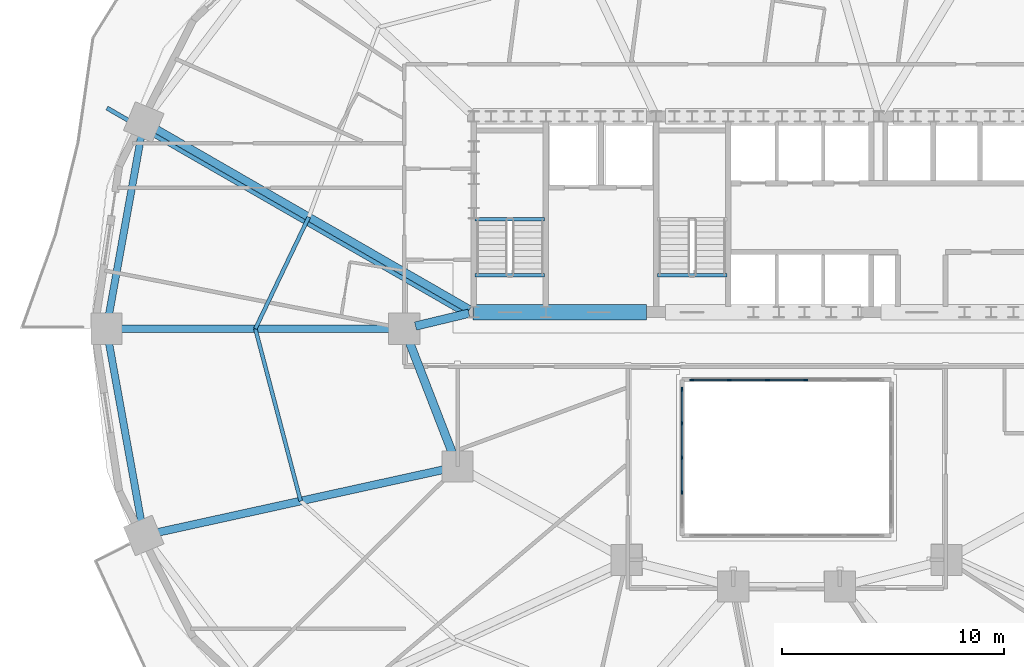
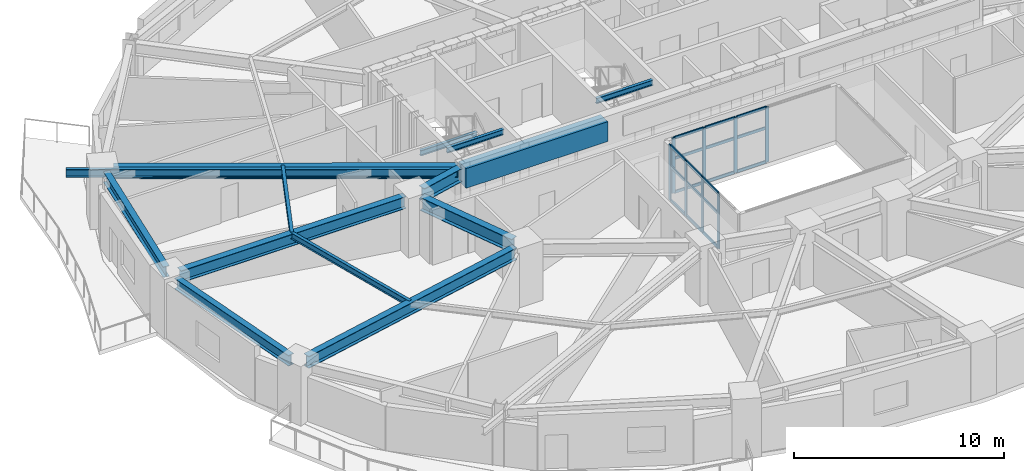
# One storey, part 4 of 17: 26 members, 14 beams, 2 elements without a shape of their own.
"""IFC4 building model written with IfcOpenShell, lengths in metres."""

from ifc_helpers import new_model, si_unit, direction, frame, origin, origin_2d, place, context, subcontext, project, spatial, rectangle, i_section, extrude, material, material_profile, profile_set, type_object, element, aggregate, save


model = new_model("IFC4")

# Units and contexts
model_context = context("Model", 3, precision=1e-05, world=origin(), true_north=direction((0.0, 1.0)))
body_context = subcontext(model_context, "Body", "Model", "MODEL_VIEW")
ifc_project = project(units=[si_unit("LENGTHUNIT", "METRE"), si_unit("AREAUNIT", "SQUARE_METRE"), si_unit("VOLUMEUNIT", "CUBIC_METRE"), si_unit("PLANEANGLEUNIT", "RADIAN"), si_unit("MASSUNIT", "GRAM", prefix="KILO")], contexts=[model_context])

# Site, building, storey
site_placement = place(None, origin())
site = spatial("IfcSite", under=ifc_project, at=site_placement, CompositionType="ELEMENT")
building_placement = place(site_placement, origin())
building = spatial("IfcBuilding", under=site, at=building_placement, Name="Haldorwick Loom Tower", CompositionType="ELEMENT")
storey_placement = place(building_placement, frame((0.0, 0.0, 51.60009765625)))
storey = spatial("IfcBuildingStorey", under=building, at=storey_placement, Name="L13", CompositionType="ELEMENT", Elevation=51.60009765625)

# Curtain wall, members
ifc_material_1 = material(Name="Thermally Broken Anodized Aluminium Curtain Wall Framing", Category="aluminium")
curtain_wall_type = type_object("IfcCurtainWallType", Name="ARC-CW-03", PredefinedType="NOTDEFINED", material=ifc_material_1)
curtain_wall_1_placement = place(storey_placement, origin())
curtain_wall_1 = element("IfcCurtainWall", 1, at=curtain_wall_1_placement, inside=storey, type_object=curtain_wall_type, Name="L13 Atrium Glazed Screen N", PredefinedType="NOTDEFINED")
ifc_material_profile_1 = material_profile(ifc_material_1, rectangle(XDim=0.06591796875, YDim=0.18505859375, at=origin_2d()), Name="ALU_MUL_66X185", Category="aluminium")
ifc_profile_set_1 = profile_set([ifc_material_profile_1], Name="Thermally Broken Anodized Aluminium Curtain Wall Framing")
member_type_1 = type_object("IfcMemberType", Name="ARC-CWM-03", PredefinedType="MULLION", material=ifc_profile_set_1)
member_1_placement = place(storey_placement, frame((31.73291015625, 23.699951171875, 0.0), z_axis=(0.0, 0.0, 1.0), x_axis=(0.0, 1.0, 0.0)))
member_1 = element("IfcMember", 2, at=member_1_placement, type_object=member_type_1, Name="CW-03 mullion 1", PredefinedType="MULLION", context=body_context, shape_type="SweptSolid", body=[
    extrude(rectangle(XDim=0.06591796875, YDim=0.18505859375, at=origin_2d()), origin(), (0.0, 0.0, 1.0), 3.2099609375),
])
member_2_placement = place(storey_placement, frame((33.419921875, 23.699951171875, 0.0), z_axis=(0.0, 0.0, 1.0), x_axis=(0.0, 1.0, 0.0)))
member_2 = element("IfcMember", 3, at=member_2_placement, type_object=member_type_1, Name="CW-03 mullion 2", PredefinedType="MULLION", context=body_context, shape_type="SweptSolid", body=[
    extrude(rectangle(XDim=0.06591796875, YDim=0.18505859375, at=origin_2d()), origin(), (0.0, 0.0, 1.0), 3.2099609375),
])
member_3_placement = place(storey_placement, frame((35.139892578125, 23.699951171875, 0.0), z_axis=(0.0, 0.0, 1.0), x_axis=(0.0, 1.0, 0.0)))
member_3 = element("IfcMember", 4, at=member_3_placement, type_object=member_type_1, Name="CW-03 mullion 3", PredefinedType="MULLION", context=body_context, shape_type="SweptSolid", body=[
    extrude(rectangle(XDim=0.06591796875, YDim=0.18505859375, at=origin_2d()), origin(), (0.0, 0.0, 1.0), 3.2099609375),
])
member_4_placement = place(storey_placement, frame((36.860107421875, 23.699951171875, 0.0), z_axis=(0.0, 0.0, 1.0), x_axis=(0.0, 1.0, 0.0)))
member_4 = element("IfcMember", 5, at=member_4_placement, type_object=member_type_1, Name="CW-03 mullion 4", PredefinedType="MULLION", context=body_context, shape_type="SweptSolid", body=[
    extrude(rectangle(XDim=0.06591796875, YDim=0.18505859375, at=origin_2d()), origin(), (0.0, 0.0, 1.0), 3.2099609375),
])

curtain_wall_2_placement = place(storey_placement, origin())
curtain_wall_2 = element("IfcCurtainWall", 6, at=curtain_wall_2_placement, inside=storey, type_object=curtain_wall_type, Name="L13 Atrium Glazed Screen W", PredefinedType="NOTDEFINED")
member_5_placement = place(storey_placement, frame((31.300048828125, 18.64990234375, 0.0), z_axis=(0.0, 0.0, 1.0), x_axis=(-1.0, 0.0, 0.0)))
member_5 = element("IfcMember", 7, at=member_5_placement, type_object=member_type_1, Name="CW-03 mullion 2", PredefinedType="MULLION", context=body_context, shape_type="SweptSolid", body=[
    extrude(rectangle(XDim=0.06591796875, YDim=0.18505859375, at=origin_2d()), origin(), (0.0, 0.0, 1.0), 3.2099609375),
])
member_6_placement = place(storey_placement, frame((31.300048828125, 20.199951171875, 0.0), z_axis=(0.0, 0.0, 1.0), x_axis=(-1.0, 0.0, 0.0)))
member_6 = element("IfcMember", 8, at=member_6_placement, type_object=member_type_1, Name="CW-03 mullion 3", PredefinedType="MULLION", context=body_context, shape_type="SweptSolid", body=[
    extrude(rectangle(XDim=0.06591796875, YDim=0.18505859375, at=origin_2d()), origin(), (0.0, 0.0, 1.0), 3.2099609375),
])
member_7_placement = place(storey_placement, frame((31.300048828125, 21.75, 0.0), z_axis=(0.0, 0.0, 1.0), x_axis=(-1.0, 0.0, 0.0)))
member_7 = element("IfcMember", 9, at=member_7_placement, type_object=member_type_1, Name="CW-03 mullion 4", PredefinedType="MULLION", context=body_context, shape_type="SweptSolid", body=[
    extrude(rectangle(XDim=0.06591796875, YDim=0.18505859375, at=origin_2d()), origin(), (0.0, 0.0, 1.0), 3.2099609375),
])
member_8_placement = place(storey_placement, frame((31.300048828125, 23.26708984375, 0.0), z_axis=(0.0, 0.0, 1.0), x_axis=(-1.0, 0.0, 0.0)))
member_8 = element("IfcMember", 10, at=member_8_placement, type_object=member_type_1, Name="CW-03 mullion 5", PredefinedType="MULLION", context=body_context, shape_type="SweptSolid", body=[
    extrude(rectangle(XDim=0.06591796875, YDim=0.18505859375, at=origin_2d()), origin(), (0.0, 0.0, 1.0), 3.2099609375),
])

# Member
ifc_material_profile_2 = material_profile(ifc_material_1, rectangle(XDim=0.06591796875, YDim=0.1650390625, at=origin_2d()), Name="ALU_TRN_66X165", Category="aluminium")
ifc_profile_set_2 = profile_set([ifc_material_profile_2], Name="Thermally Broken Anodized Aluminium Curtain Wall Framing")
member_type_2 = type_object("IfcMemberType", Name="ARC-CWT-03", PredefinedType="USERDEFINED", material=ifc_profile_set_2)
member_9_placement = place(storey_placement, frame((31.76611328125, 23.699951171875, 0.032958984375), z_axis=(1.0, 0.0, 0.0), x_axis=(0.0, 1.0, 0.0)))
member_9 = element("IfcMember", 11, at=member_9_placement, type_object=member_type_2, Name="CW-03 transom 1.1", ObjectType="TRANSOM", PredefinedType="USERDEFINED", context=body_context, shape_type="SweptSolid", body=[
    extrude(rectangle(XDim=0.06591796875, YDim=0.1650390625, at=origin_2d()), origin(), (0.0, 0.0, 1.0), 1.620849609375),
])

member_10_placement = place(storey_placement, frame((31.76611328125, 23.699951171875, 2.0), z_axis=(1.0, 0.0, 0.0), x_axis=(0.0, 1.0, 0.0)))
member_10 = element("IfcMember", 12, at=member_10_placement, type_object=member_type_2, Name="CW-03 transom 1.2", ObjectType="TRANSOM", PredefinedType="USERDEFINED", context=body_context, shape_type="SweptSolid", body=[
    extrude(rectangle(XDim=0.06591796875, YDim=0.1650390625, at=origin_2d()), origin(), (0.0, 0.0, 1.0), 1.620849609375),
])

member_11_placement = place(storey_placement, frame((31.76611328125, 23.699951171875, 3.177001953125), z_axis=(1.0, 0.0, 0.0), x_axis=(0.0, 1.0, 0.0)))
member_11 = element("IfcMember", 13, at=member_11_placement, type_object=member_type_2, Name="CW-03 transom 1.3", ObjectType="TRANSOM", PredefinedType="USERDEFINED", context=body_context, shape_type="SweptSolid", body=[
    extrude(rectangle(XDim=0.06591796875, YDim=0.1650390625, at=origin_2d()), origin(), (0.0, 0.0, 1.0), 1.620849609375),
])

member_12_placement = place(storey_placement, frame((33.452880859375, 23.699951171875, 0.032958984375), z_axis=(1.0, 0.0, 0.0), x_axis=(0.0, 1.0, 0.0)))
member_12 = element("IfcMember", 14, at=member_12_placement, type_object=member_type_2, Name="CW-03 transom 2.1", ObjectType="TRANSOM", PredefinedType="USERDEFINED", context=body_context, shape_type="SweptSolid", body=[
    extrude(rectangle(XDim=0.06591796875, YDim=0.1650390625, at=origin_2d()), origin(), (0.0, 0.0, 1.0), 1.654052734375),
])

member_13_placement = place(storey_placement, frame((33.452880859375, 23.699951171875, 2.0), z_axis=(1.0, 0.0, 0.0), x_axis=(0.0, 1.0, 0.0)))
member_13 = element("IfcMember", 15, at=member_13_placement, type_object=member_type_2, Name="CW-03 transom 2.2", ObjectType="TRANSOM", PredefinedType="USERDEFINED", context=body_context, shape_type="SweptSolid", body=[
    extrude(rectangle(XDim=0.06591796875, YDim=0.1650390625, at=origin_2d()), origin(), (0.0, 0.0, 1.0), 1.654052734375),
])

member_14_placement = place(storey_placement, frame((33.452880859375, 23.699951171875, 3.177001953125), z_axis=(1.0, 0.0, 0.0), x_axis=(0.0, 1.0, 0.0)))
member_14 = element("IfcMember", 16, at=member_14_placement, type_object=member_type_2, Name="CW-03 transom 2.3", ObjectType="TRANSOM", PredefinedType="USERDEFINED", context=body_context, shape_type="SweptSolid", body=[
    extrude(rectangle(XDim=0.06591796875, YDim=0.1650390625, at=origin_2d()), origin(), (0.0, 0.0, 1.0), 1.654052734375),
])

member_15_placement = place(storey_placement, frame((35.173095703125, 23.699951171875, 0.032958984375), z_axis=(1.0, 0.0, 0.0), x_axis=(0.0, 1.0, 0.0)))
member_15 = element("IfcMember", 17, at=member_15_placement, type_object=member_type_2, Name="CW-03 transom 3.1", ObjectType="TRANSOM", PredefinedType="USERDEFINED", context=body_context, shape_type="SweptSolid", body=[
    extrude(rectangle(XDim=0.06591796875, YDim=0.1650390625, at=origin_2d()), origin(), (0.0, 0.0, 1.0), 1.65380859375),
])

member_16_placement = place(storey_placement, frame((35.173095703125, 23.699951171875, 2.0), z_axis=(1.0, 0.0, 0.0), x_axis=(0.0, 1.0, 0.0)))
member_16 = element("IfcMember", 18, at=member_16_placement, type_object=member_type_2, Name="CW-03 transom 3.2", ObjectType="TRANSOM", PredefinedType="USERDEFINED", context=body_context, shape_type="SweptSolid", body=[
    extrude(rectangle(XDim=0.06591796875, YDim=0.1650390625, at=origin_2d()), origin(), (0.0, 0.0, 1.0), 1.65380859375),
])

member_17_placement = place(storey_placement, frame((35.173095703125, 23.699951171875, 3.177001953125), z_axis=(1.0, 0.0, 0.0), x_axis=(0.0, 1.0, 0.0)))
member_17 = element("IfcMember", 19, at=member_17_placement, type_object=member_type_2, Name="CW-03 transom 3.3", ObjectType="TRANSOM", PredefinedType="USERDEFINED", context=body_context, shape_type="SweptSolid", body=[
    extrude(rectangle(XDim=0.06591796875, YDim=0.1650390625, at=origin_2d()), origin(), (0.0, 0.0, 1.0), 1.65380859375),
])

aggregate(curtain_wall_1, [member_1, member_2, member_3, member_4, member_9, member_10, member_11, member_12, member_13, member_14, member_15, member_16, member_17])

member_18_placement = place(storey_placement, frame((31.300048828125, 18.68310546875, 0.032958984375), z_axis=(0.0, 1.0, 0.0), x_axis=(-1.0, 0.0, 0.0)))
member_18 = element("IfcMember", 20, at=member_18_placement, type_object=member_type_2, Name="CW-03 transom 2.1", ObjectType="TRANSOM", PredefinedType="USERDEFINED", context=body_context, shape_type="SweptSolid", body=[
    extrude(rectangle(XDim=0.06591796875, YDim=0.1650390625, at=origin_2d()), origin(), (0.0, 0.0, 1.0), 1.48388671875),
])

member_19_placement = place(storey_placement, frame((31.300048828125, 18.68310546875, 2.0), z_axis=(0.0, 1.0, 0.0), x_axis=(-1.0, 0.0, 0.0)))
member_19 = element("IfcMember", 21, at=member_19_placement, type_object=member_type_2, Name="CW-03 transom 2.2", ObjectType="TRANSOM", PredefinedType="USERDEFINED", context=body_context, shape_type="SweptSolid", body=[
    extrude(rectangle(XDim=0.06591796875, YDim=0.1650390625, at=origin_2d()), origin(), (0.0, 0.0, 1.0), 1.48388671875),
])

member_20_placement = place(storey_placement, frame((31.300048828125, 18.68310546875, 3.177001953125), z_axis=(0.0, 1.0, 0.0), x_axis=(-1.0, 0.0, 0.0)))
member_20 = element("IfcMember", 22, at=member_20_placement, type_object=member_type_2, Name="CW-03 transom 2.3", ObjectType="TRANSOM", PredefinedType="USERDEFINED", context=body_context, shape_type="SweptSolid", body=[
    extrude(rectangle(XDim=0.06591796875, YDim=0.1650390625, at=origin_2d()), origin(), (0.0, 0.0, 1.0), 1.48388671875),
])

member_21_placement = place(storey_placement, frame((31.300048828125, 20.23291015625, 0.032958984375), z_axis=(0.0, 1.0, 0.0), x_axis=(-1.0, 0.0, 0.0)))
member_21 = element("IfcMember", 23, at=member_21_placement, type_object=member_type_2, Name="CW-03 transom 3.1", ObjectType="TRANSOM", PredefinedType="USERDEFINED", context=body_context, shape_type="SweptSolid", body=[
    extrude(rectangle(XDim=0.06591796875, YDim=0.1650390625, at=origin_2d()), origin(), (0.0, 0.0, 1.0), 1.484130859375),
])

member_22_placement = place(storey_placement, frame((31.300048828125, 20.23291015625, 2.0), z_axis=(0.0, 1.0, 0.0), x_axis=(-1.0, 0.0, 0.0)))
member_22 = element("IfcMember", 24, at=member_22_placement, type_object=member_type_2, Name="CW-03 transom 3.2", ObjectType="TRANSOM", PredefinedType="USERDEFINED", context=body_context, shape_type="SweptSolid", body=[
    extrude(rectangle(XDim=0.06591796875, YDim=0.1650390625, at=origin_2d()), origin(), (0.0, 0.0, 1.0), 1.484130859375),
])

member_23_placement = place(storey_placement, frame((31.300048828125, 20.23291015625, 3.177001953125), z_axis=(0.0, 1.0, 0.0), x_axis=(-1.0, 0.0, 0.0)))
member_23 = element("IfcMember", 25, at=member_23_placement, type_object=member_type_2, Name="CW-03 transom 3.3", ObjectType="TRANSOM", PredefinedType="USERDEFINED", context=body_context, shape_type="SweptSolid", body=[
    extrude(rectangle(XDim=0.06591796875, YDim=0.1650390625, at=origin_2d()), origin(), (0.0, 0.0, 1.0), 1.484130859375),
])

member_24_placement = place(storey_placement, frame((31.300048828125, 21.782958984375, 0.032958984375), z_axis=(0.0, 1.0, 0.0), x_axis=(-1.0, 0.0, 0.0)))
member_24 = element("IfcMember", 26, at=member_24_placement, type_object=member_type_2, Name="CW-03 transom 4.1", ObjectType="TRANSOM", PredefinedType="USERDEFINED", context=body_context, shape_type="SweptSolid", body=[
    extrude(rectangle(XDim=0.06591796875, YDim=0.1650390625, at=origin_2d()), origin(), (0.0, 0.0, 1.0), 1.450927734375),
])

member_25_placement = place(storey_placement, frame((31.300048828125, 21.782958984375, 2.0), z_axis=(0.0, 1.0, 0.0), x_axis=(-1.0, 0.0, 0.0)))
member_25 = element("IfcMember", 27, at=member_25_placement, type_object=member_type_2, Name="CW-03 transom 4.2", ObjectType="TRANSOM", PredefinedType="USERDEFINED", context=body_context, shape_type="SweptSolid", body=[
    extrude(rectangle(XDim=0.06591796875, YDim=0.1650390625, at=origin_2d()), origin(), (0.0, 0.0, 1.0), 1.450927734375),
])

member_26_placement = place(storey_placement, frame((31.300048828125, 21.782958984375, 3.177001953125), z_axis=(0.0, 1.0, 0.0), x_axis=(-1.0, 0.0, 0.0)))
member_26 = element("IfcMember", 28, at=member_26_placement, type_object=member_type_2, Name="CW-03 transom 4.3", ObjectType="TRANSOM", PredefinedType="USERDEFINED", context=body_context, shape_type="SweptSolid", body=[
    extrude(rectangle(XDim=0.06591796875, YDim=0.1650390625, at=origin_2d()), origin(), (0.0, 0.0, 1.0), 1.450927734375),
])

aggregate(curtain_wall_2, [member_5, member_6, member_7, member_8, member_18, member_19, member_20, member_21, member_22, member_23, member_24, member_25, member_26])

# Beams
ifc_material_2 = material(Name="Steel CSA G40.21 350W", Category="steel")
ifc_material_profile_3 = material_profile(ifc_material_2, i_section(OverallWidth=0.193115234375, OverallDepth=0.466064453125, WebThickness=0.011474609375, FlangeThickness=0.01904296875, at=origin_2d()), Name="W460X97", Category="steel")
ifc_profile_set_3 = profile_set([ifc_material_profile_3], Name="Steel CSA G40.21 350W")
beam_type_1 = type_object("IfcBeamType", Name="STR-BM-BAL460", PredefinedType="BEAM", material=ifc_profile_set_3)
beam_1_placement = place(storey_placement, frame((21.59521484375, 26.61962890625, 2.976806640625), z_axis=(-0.866607024941, 0.49899124674, 0.0), x_axis=(-0.49899124674, -0.866607024941, 0.0)))
element("IfcBeam", 29, at=beam_1_placement, inside=storey, type_object=beam_type_1, Name="L13 Continuous Back-Spanned Balcony Beam 3", PredefinedType="BEAM", context=body_context, shape_type="SweptSolid", body=[
    extrude(i_section(OverallWidth=0.193115234375, OverallDepth=0.466064453125, WebThickness=0.011474609375, FlangeThickness=0.01904296875, at=origin_2d()), origin(), (0.0, 0.0, 1.0), 18.65771484375),
])
ifc_material_3 = material(Name="Concrete C60 (60 MPa)", Category="concrete")
ifc_material_profile_4 = material_profile(ifc_material_3, rectangle(XDim=0.699951171875, YDim=1.14990234375, at=origin_2d()), Name="RC700X1150", Category="concrete")
ifc_profile_set_4 = profile_set([ifc_material_profile_4], Name="Concrete C60 (60 MPa)")
beam_type_2 = type_object("IfcBeamType", Name="STR-BM-CB1150", PredefinedType="LINTEL", material=ifc_profile_set_4)
beam_2_placement = place(storey_placement, frame((21.89990234375, 26.75, 2.635009765625), z_axis=(1.0, 0.0, 0.0), x_axis=(0.0, 1.0, 0.0)))
element("IfcBeam", 30, at=beam_2_placement, inside=storey, type_object=beam_type_2, Name="L13 Core Coupling Beam CB-S1", PredefinedType="LINTEL", context=body_context, shape_type="SweptSolid", body=[
    extrude(rectangle(XDim=0.699951171875, YDim=1.14990234375, at=origin_2d()), origin(), (0.0, 0.0, 1.0), 7.800048828125),
])
ifc_material_profile_5 = material_profile(ifc_material_2, i_section(OverallWidth=0.172119140625, OverallDepth=0.35791015625, WebThickness=0.0078125, FlangeThickness=0.01318359375, at=origin_2d()), Name="W360X57", Category="steel")
ifc_profile_set_5 = profile_set([ifc_material_profile_5], Name="Steel CSA G40.21 350W")
beam_type_3 = type_object("IfcBeamType", Name="STR-BM-J360", PredefinedType="JOIST", material=ifc_profile_set_5)
beam_3_placement = place(storey_placement, frame((14.50634765625, 31.024658203125, 3.031005859375), z_axis=(-0.431630738849, -0.902050389546, 0.0), x_axis=(0.902050389546, -0.431630738849, 0.0)))
element("IfcBeam", 31, at=beam_3_placement, inside=storey, type_object=beam_type_3, Name="L13 Mid-Bay Secondary Joist 8", PredefinedType="JOIST", context=body_context, shape_type="SweptSolid", body=[
    extrude(i_section(OverallWidth=0.172119140625, OverallDepth=0.35791015625, WebThickness=0.0078125, FlangeThickness=0.01318359375, at=origin_2d()), origin(), (0.0, 0.0, 1.0), 5.5703125),
])
beam_4_placement = place(storey_placement, frame((12.10205078125, 26.0, 3.031005859375), z_axis=(0.2544888003, -0.967075721193, 0.0), x_axis=(0.967075721193, 0.2544888003, 0.0)))
element("IfcBeam", 32, at=beam_4_placement, inside=storey, type_object=beam_type_3, Name="L13 Mid-Bay Secondary Joist 9", PredefinedType="JOIST", context=body_context, shape_type="SweptSolid", body=[
    extrude(i_section(OverallWidth=0.172119140625, OverallDepth=0.35791015625, WebThickness=0.0078125, FlangeThickness=0.01318359375, at=origin_2d()), origin(), (0.0, 0.0, 1.0), 8.013427734375),
])
ifc_material_profile_6 = material_profile(ifc_material_2, i_section(OverallWidth=0.324951171875, OverallDepth=0.615966796875, WebThickness=0.013916015625, FlangeThickness=0.021484375, at=origin_2d()), Name="W610X174", Category="steel")
ifc_profile_set_6 = profile_set([ifc_material_profile_6], Name="Steel CSA G40.21 350W")
beam_type_4 = type_object("IfcBeamType", Name="STR-BM-SP610", PredefinedType="SPANDREL", material=ifc_profile_set_6)
for number, where, z_axis, x_axis, name in (
    (33, (6.990234375, 34.78759765625, 2.90185546875), (-0.177641139482, -0.984095333575, 0.0), (0.984095333575, -0.177641139482, 0.0), "L13 Perimeter Spandrel 8"),
    (34, (5.496337890625, 25.48828125, 2.90185546875), (0.177641139482, -0.984095333575, 0.0), (0.984095333575, 0.177641139482, 0.0), "L13 Perimeter Spandrel 9"),
):
    element("IfcBeam", number, at=place(storey_placement, frame(where, z_axis=z_axis, x_axis=x_axis)), inside=storey, type_object=beam_type_4, Name=name, PredefinedType="SPANDREL", context=body_context, shape_type="SweptSolid", body=[
        extrude(i_section(OverallWidth=0.324951171875, OverallDepth=0.615966796875, WebThickness=0.013916015625, FlangeThickness=0.021484375, at=origin_2d()), origin(), (0.0, 0.0, 1.0), 8.40966796875),
    ])
ifc_material_profile_7 = material_profile(ifc_material_2, i_section(OverallWidth=0.166015625, OverallDepth=0.31298828125, WebThickness=0.006591796875, FlangeThickness=0.01123046875, at=origin_2d()), Name="W310X45", Category="steel")
ifc_profile_set_7 = profile_set([ifc_material_profile_7], Name="Steel CSA G40.21 350W")
beam_type_5 = type_object("IfcBeamType", Name="STR-BM-STRM", PredefinedType="BEAM", material=ifc_profile_set_7)
for number, where, z_axis, x_axis, name in (
    (35, (21.989990234375, 28.39990234375, 3.053466796875), (1.0, 0.0, 0.0), (0.0, 1.0, 0.0), "L13 Stair ST-01 Landing Edge Trimmer"),
    (36, (21.989990234375, 30.919921875, 1.368408203125), (1.0, 0.0, 0.0), (0.0, 1.0, 0.0), "L13 Stair ST-01 Half-Landing Trimmer 1"),
    (37, (30.18994140625, 28.39990234375, 3.053466796875), (1.0, 0.0, 0.0), (0.0, 1.0, 0.0), "L13 Stair ST-03 Landing Edge Trimmer"),
):
    element("IfcBeam", number, at=place(storey_placement, frame(where, z_axis=z_axis, x_axis=x_axis)), inside=storey, type_object=beam_type_5, Name=name, PredefinedType="BEAM", context=body_context, shape_type="SweptSolid", body=[
        extrude(i_section(OverallWidth=0.166015625, OverallDepth=0.31298828125, WebThickness=0.006591796875, FlangeThickness=0.01123046875, at=origin_2d()), origin(), (0.0, 0.0, 1.0), 3.1201171875),
    ])
ifc_material_profile_8 = material_profile(ifc_material_2, i_section(OverallWidth=0.35498046875, OverallDepth=0.695068359375, WebThickness=0.015380859375, FlangeThickness=0.02490234375, at=origin_2d()), Name="W690X217", Category="steel")
ifc_profile_set_8 = profile_set([ifc_material_profile_8], Name="Steel CSA G40.21 350W")
beam_type_6 = type_object("IfcBeamType", Name="STR-BM-W690", PredefinedType="BEAM", material=ifc_profile_set_8)
beam_5_placement = place(storey_placement, frame((21.735107421875, 26.8623046875, 2.8623046875), z_axis=(-0.86660566838, 0.498993602696, 0.0), x_axis=(-0.498993602696, -0.86660566838, 0.0)))
element("IfcBeam", 38, at=beam_5_placement, inside=storey, type_object=beam_type_6, Name="L13 Radial Floor Girder 8", PredefinedType="BEAM", context=body_context, shape_type="SweptSolid", body=[
    extrude(i_section(OverallWidth=0.35498046875, OverallDepth=0.695068359375, WebThickness=0.015380859375, FlangeThickness=0.02490234375, at=origin_2d()), origin(), (0.0, 0.0, 1.0), 16.387939453125),
])
beam_6_placement = place(storey_placement, frame((18.280029296875, 26.0, 2.8623046875), z_axis=(-1.0, 0.0, 0.0), x_axis=(0.0, -1.0, 0.0)))
element("IfcBeam", 39, at=beam_6_placement, inside=storey, type_object=beam_type_6, Name="L13 Radial Floor Girder 9", PredefinedType="BEAM", context=body_context, shape_type="SweptSolid", body=[
    extrude(i_section(OverallWidth=0.35498046875, OverallDepth=0.695068359375, WebThickness=0.015380859375, FlangeThickness=0.02490234375, at=origin_2d()), origin(), (0.0, 0.0, 1.0), 12.35595703125),
])
beam_7_placement = place(storey_placement, frame((20.692138671875, 19.6884765625, 2.8623046875), z_axis=(-0.976740159434, -0.214426353203, 0.0), x_axis=(0.214426353203, -0.976740159434, 0.0)))
element("IfcBeam", 40, at=beam_7_placement, inside=storey, type_object=beam_type_6, Name="L13 Radial Floor Girder 10", PredefinedType="BEAM", context=body_context, shape_type="SweptSolid", body=[
    extrude(i_section(OverallWidth=0.35498046875, OverallDepth=0.695068359375, WebThickness=0.015380859375, FlangeThickness=0.02490234375, at=origin_2d()), origin(), (0.0, 0.0, 1.0), 13.41357421875),
])
ifc_material_profile_9 = material_profile(ifc_material_2, i_section(OverallWidth=0.381103515625, OverallDepth=0.77294921875, WebThickness=0.0166015625, FlangeThickness=0.027587890625, at=origin_2d()), Name="W760X257", Category="steel")
ifc_profile_set_9 = profile_set([ifc_material_profile_9], Name="Steel CSA G40.21 350W")
beam_type_7 = type_object("IfcBeamType", Name="STR-BM-W760", PredefinedType="BEAM", material=ifc_profile_set_9)
beam_8_placement = place(storey_placement, frame((21.01220703125, 20.284912109375, 2.823486328125), z_axis=(-0.360964792353, 0.93257944363, 0.0), x_axis=(-0.93257944363, -0.360964792353, 0.0)))
element("IfcBeam", 41, at=beam_8_placement, inside=storey, type_object=beam_type_7, Name="L13 Inner Ring Girder 8", PredefinedType="BEAM", context=body_context, shape_type="SweptSolid", body=[
    extrude(i_section(OverallWidth=0.381103515625, OverallDepth=0.77294921875, WebThickness=0.0166015625, FlangeThickness=0.027587890625, at=origin_2d()), origin(), (0.0, 0.0, 1.0), 5.6083984375),
])
beam_9_placement = place(storey_placement, frame((19.3056640625, 26.12109375, 2.823486328125), z_axis=(0.97247055837, 0.233025777764, 0.0), x_axis=(-0.233025777764, 0.97247055837, 0.0)))
element("IfcBeam", 42, at=beam_9_placement, inside=storey, type_object=beam_type_7, Name="L13 Inner Ring Girder 9", PredefinedType="BEAM", context=body_context, shape_type="SweptSolid", body=[
    extrude(i_section(OverallWidth=0.381103515625, OverallDepth=0.77294921875, WebThickness=0.0166015625, FlangeThickness=0.027587890625, at=origin_2d()), origin(), (0.0, 0.0, 1.0), 2.4736328125),
])

save(model, "model.ifc")
